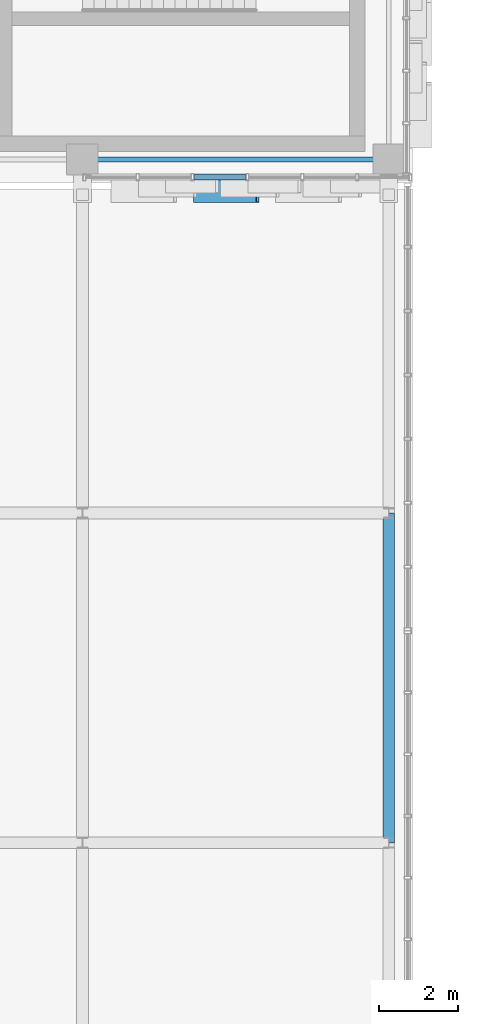
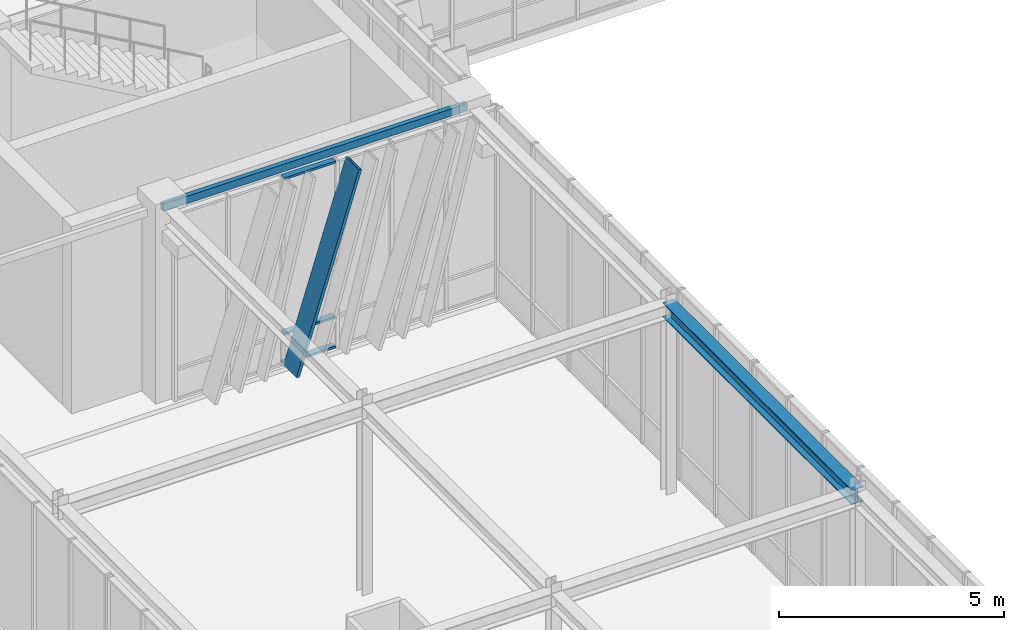
# One storey, part 28 of 139: 4 members, 2 beams, 1 element without a shape of its own.
"""IFC4 building model written with IfcOpenShell, lengths in metres."""

from ifc_helpers import new_model, si_unit, direction, frame, origin, origin_2d, place, context, subcontext, project, spatial, hollow_rectangle, i_section, extrude, material, layer, layer_set, material_profile, profile_set, type_object, element, aggregate, save


model = new_model("IFC4")

# Units and contexts
model_context = context("Model", 3, precision=1e-05, world=origin(), true_north=direction((0.0, 1.0)))
body_context = subcontext(model_context, "Body", "Model", "MODEL_VIEW")
ifc_project = project(units=[si_unit("LENGTHUNIT", "METRE"), si_unit("AREAUNIT", "SQUARE_METRE"), si_unit("VOLUMEUNIT", "CUBIC_METRE"), si_unit("PLANEANGLEUNIT", "RADIAN"), si_unit("MASSUNIT", "GRAM", prefix="KILO")], contexts=[model_context])

# Site, building, storey
site_placement = place(None, origin())
site = spatial("IfcSite", under=ifc_project, at=site_placement, CompositionType="ELEMENT")
building_placement = place(site_placement, origin())
building = spatial("IfcBuilding", under=site, at=building_placement, Name="Zayran Congress Hotel", CompositionType="ELEMENT")
storey_placement = place(building_placement, frame((0.0, 0.0, 5.39990234375)))
storey = spatial("IfcBuildingStorey", under=building, at=storey_placement, Name="L01", CompositionType="ELEMENT", Elevation=5.39990234375)

# Beams
ifc_material_1 = material(Name="Steel S355", Category="steel")
ifc_material_profile_1 = material_profile(ifc_material_1, i_section(OverallWidth=0.300048828125, OverallDepth=0.39990234375, WebThickness=0.013427734375, FlangeThickness=0.02392578125, at=origin_2d()), Name="HEB 400")
ifc_profile_set_1 = profile_set([ifc_material_profile_1], Name="Steel S355")
beam_type_1 = type_object("IfcBeamType", Name="TP-BM-10", PredefinedType="BEAM", material=ifc_profile_set_1)
beam_1_placement = place(storey_placement, frame((91.800048828125, 50.800048828125, 4.960205078125), z_axis=(0.0, 1.0, 0.0), x_axis=(-1.0, 0.0, 0.0)))
element("IfcBeam", 1, at=beam_1_placement, inside=storey, type_object=beam_type_1, Name="BM-BR2Y-L01-2474", PredefinedType="BEAM", context=body_context, shape_type="SweptSolid", body=[
    extrude(i_section(OverallWidth=0.300048828125, OverallDepth=0.39990234375, WebThickness=0.013427734375, FlangeThickness=0.02392578125, at=origin_2d()), origin(), (0.0, 0.0, 1.0), 8.39990234375),
])
ifc_material_profile_2 = material_profile(ifc_material_1, hollow_rectangle(XDim=0.1201171875, YDim=0.199951171875, WallThickness=0.008056640625, at=origin_2d()), Name="RHS 200x120x8")
ifc_profile_set_2 = profile_set([ifc_material_profile_2], Name="Steel S355")
beam_type_2 = type_object("IfcBeamType", Name="TP-SP-02", PredefinedType="SPANDREL", material=ifc_profile_set_2)
beam_2_placement = place(storey_placement, frame((84.0, 68.199951171875, 4.97998046875), z_axis=(1.0, 0.0, 0.0), x_axis=(0.0, 1.0, 0.0)))
element("IfcBeam", 2, at=beam_2_placement, inside=storey, type_object=beam_type_2, Name="BM-V1-L01-0522", PredefinedType="SPANDREL", context=body_context, shape_type="SweptSolid", body=[
    extrude(hollow_rectangle(XDim=0.1201171875, YDim=0.199951171875, WallThickness=0.008056640625, at=origin_2d()), origin(), (0.0, 0.0, 1.0), 7.800048828125),
])

# Curtain wall, members
ifc_material_2 = material(Name="Anodised aluminium and low-E insulated glass", Category="aluminium")
ifc_layer = layer(ifc_material_2, 0.179931640625)
ifc_layer_set = layer_set([ifc_layer], Name="Anodised aluminium and low-E insulated glass")
curtain_wall_type = type_object("IfcCurtainWallType", Name="CW-V1S-L01-CW-11-8380-5080", PredefinedType="USERDEFINED", material=ifc_layer_set)
curtain_wall_placement = place(storey_placement, origin())
curtain_wall = element("IfcCurtainWall", 3, at=curtain_wall_placement, inside=storey, type_object=curtain_wall_type, Name="CW-V1S-L01-9", ObjectType="CURTAIN WALL", PredefinedType="USERDEFINED")
ifc_material_3 = material(Name="Anodised aluminium framing", Category="aluminium")
ifc_material_profile_3 = material_profile(ifc_material_3, hollow_rectangle(XDim=0.06005859375, YDim=0.14990234375, WallThickness=0.00390625, at=origin_2d()), Name="RHS 150x60x4")
ifc_profile_set_3 = profile_set([ifc_material_profile_3], Name="Anodised aluminium framing")
member_type_1 = type_object("IfcMemberType", Name="TP-CWT-01", PredefinedType="USERDEFINED", material=ifc_profile_set_3)
member_1_placement = place(storey_placement, frame((86.84326171875, 67.75, 0.030029296875), z_axis=(1.0, 0.0, 0.0), x_axis=(0.0, 0.0, 1.0)))
member_1 = element("IfcMember", 4, at=member_1_placement, type_object=member_type_1, Name="CW-V1S-L01-9-T02-0", ObjectType="TRANSOM", PredefinedType="USERDEFINED", context=body_context, shape_type="SweptSolid", body=[
    extrude(hollow_rectangle(XDim=0.06005859375, YDim=0.14990234375, WallThickness=0.00390625, at=origin_2d()), origin(), (0.0, 0.0, 1.0), 1.316650390625),
])
member_2_placement = place(storey_placement, frame((86.84326171875, 67.75, 0.840087890625), z_axis=(1.0, 0.0, 0.0), x_axis=(0.0, 0.0, 1.0)))
member_2 = element("IfcMember", 5, at=member_2_placement, type_object=member_type_1, Name="CW-V1S-L01-9-T02-1", ObjectType="TRANSOM", PredefinedType="USERDEFINED", context=body_context, shape_type="SweptSolid", body=[
    extrude(hollow_rectangle(XDim=0.06005859375, YDim=0.14990234375, WallThickness=0.00390625, at=origin_2d()), origin(), (0.0, 0.0, 1.0), 1.316650390625),
])
member_3_placement = place(storey_placement, frame((86.84326171875, 67.75, 5.050048828125), z_axis=(1.0, 0.0, 0.0), x_axis=(0.0, 0.0, 1.0)))
member_3 = element("IfcMember", 6, at=member_3_placement, type_object=member_type_1, Name="CW-V1S-L01-9-T02-2", ObjectType="TRANSOM", PredefinedType="USERDEFINED", context=body_context, shape_type="SweptSolid", body=[
    extrude(hollow_rectangle(XDim=0.06005859375, YDim=0.14990234375, WallThickness=0.00390625, at=origin_2d()), origin(), (0.0, 0.0, 1.0), 1.316650390625),
])
ifc_material_4 = material(Name="Warm bronze anodised aluminium", Category="aluminium")
ifc_material_profile_4 = material_profile(ifc_material_4, hollow_rectangle(XDim=0.080078125, YDim=0.580078125, WallThickness=0.006103515625, at=origin_2d()), Name="RHS 580x80x6")
ifc_profile_set_4 = profile_set([ifc_material_profile_4], Name="Warm bronze anodised aluminium")
member_type_2 = type_object("IfcMemberType", Name="TP-RFN-01", PredefinedType="MULLION", material=ifc_profile_set_4)
member_4_placement = place(storey_placement, frame((86.860107421875, 67.39990234375, 0.0), z_axis=(0.300675065474, 0.0, 0.953726640606), x_axis=(-0.953726640606, 0.0, 0.300675065474)))
member_4 = element("IfcMember", 7, at=member_4_placement, type_object=member_type_2, Name="Slanting Reed Mullion CW-11-04", PredefinedType="MULLION", context=body_context, shape_type="SweptSolid", body=[
    extrude(hollow_rectangle(XDim=0.080078125, YDim=0.580078125, WallThickness=0.006103515625, at=origin_2d()), origin(), (0.0, 0.0, 1.0), 5.32666015625),
])
aggregate(curtain_wall, [member_1, member_2, member_3, member_4])

save(model, "model.ifc")
